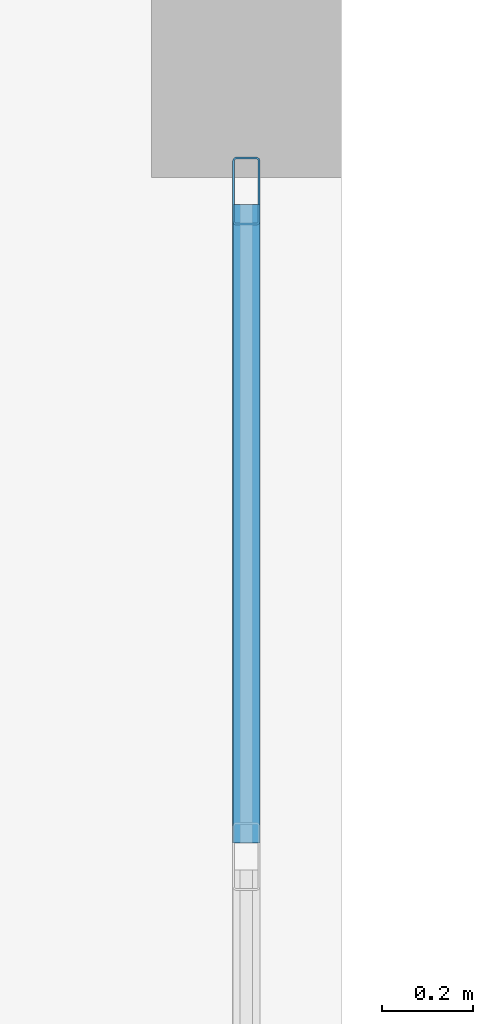
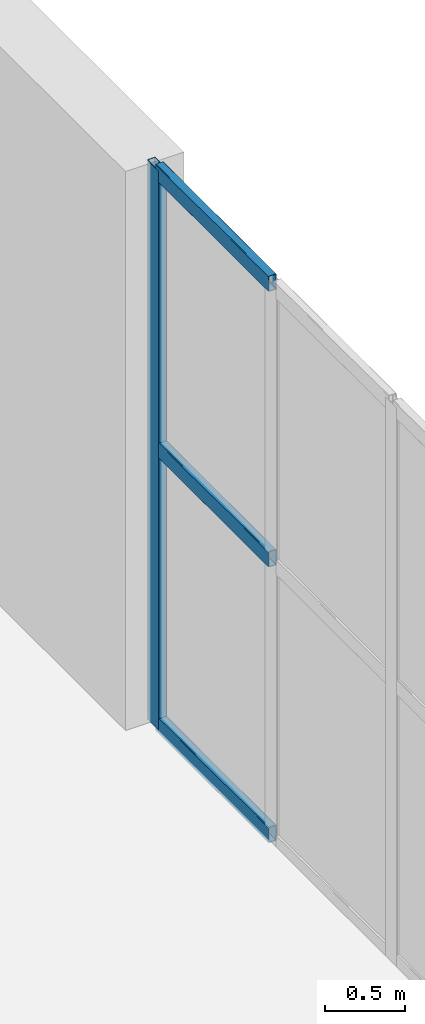
# One storey, part 6 of 15: 4 members, 1 element without a shape of its own.
"""IFC4 building model written with IfcOpenShell, lengths in metres."""

from ifc_helpers import new_model, entity, si_unit, converted_unit, direction, frame, origin_with_axes, origin_2d_with_axis, place, context, subcontext, project, spatial, hollow_rectangle, extrude, material, material_profile, profile_set, type_object, element, aggregate, save


model = new_model("IFC4")

# Units and contexts
model_context = context("Model", 3, precision=1e-05, world=origin_with_axes(), true_north=direction((0.0, 1.0)))
body_context = subcontext(model_context, "Body", "Model", "MODEL_VIEW")
ifc_project = project(units=[si_unit("LENGTHUNIT", "METRE"), si_unit("AREAUNIT", "SQUARE_METRE"), si_unit("VOLUMEUNIT", "CUBIC_METRE"), converted_unit("PLANEANGLEUNIT", "DEGREE", entity("IfcPlaneAngleMeasure", 0.017453292519943295), si_unit("PLANEANGLEUNIT", "RADIAN"), dimensions=[0, 0, 0, 0, 0, 0, 0]), si_unit("MASSUNIT", "GRAM", prefix="KILO"), si_unit("THERMODYNAMICTEMPERATUREUNIT", "KELVIN")], contexts=[model_context])

# Site, building, storey
site_placement = place(None, origin_with_axes())
site = spatial("IfcSite", under=ifc_project, at=site_placement, CompositionType="ELEMENT")
building_placement = place(site_placement, origin_with_axes())
building = spatial("IfcBuilding", under=site, at=building_placement, Name="Varnlund Millrace Tower", CompositionType="ELEMENT")
storey_placement = place(building_placement, frame((0.0, 0.0, 19.8), z_axis=(0.0, 0.0, 1.0), x_axis=(1.0, 0.0, 0.0)))
storey = spatial("IfcBuildingStorey", under=building, at=storey_placement, Name="L04", CompositionType="ELEMENT", Elevation=19.8)

# Curtain wall, members
ifc_material_1 = material(Name="Thermally broken architectural bronze curtain wall", Category="aluminium")
curtain_wall_type = type_object("IfcCurtainWallType", Name="Type-CW-Sys4-SkyLobby1", PredefinedType="NOTDEFINED", material=ifc_material_1)
curtain_wall_placement = place(storey_placement, frame((48.39, 45.3, 0.0), z_axis=(0.0, 0.0, 1.0), x_axis=(1.0, 0.0, 0.0)))
curtain_wall = element("IfcCurtainWall", 1, at=curtain_wall_placement, inside=storey, type_object=curtain_wall_type, Name="Type-CW-Sys4-SkyLobby1", PredefinedType="NOTDEFINED")
ifc_material_2 = material(Name="Architectural bronze aluminium alloy 6063-T6", Category="aluminium")
ifc_material_profile_1 = material_profile(ifc_material_2, hollow_rectangle(XDim=0.06, YDim=0.15, WallThickness=0.004, InnerFilletRadius=0.004, OuterFilletRadius=0.008, at=origin_2d_with_axis()), Name="Architectural bronze aluminium alloy 6063-T6")
ifc_profile_set_1 = profile_set([ifc_material_profile_1], Name="Architectural bronze aluminium alloy 6063-T6")
member_type_1 = type_object("IfcMemberType", Name="Type-CW-Mullion-60X150", PredefinedType="MULLION", material=ifc_profile_set_1)
member_1_placement = place(storey_placement, frame((48.39, 45.27, 0.0), z_axis=(0.0, 0.0, 1.0), x_axis=(1.0, 0.0, 0.0)))
member_1 = element("IfcMember", 2, at=member_1_placement, type_object=member_type_1, Name="CW-04 mullion 1", PredefinedType="MULLION", context=body_context, shape_type="SweptSolid", body=[
    extrude(hollow_rectangle(XDim=0.06, YDim=0.15, WallThickness=0.004, InnerFilletRadius=0.004, OuterFilletRadius=0.008, at=origin_2d_with_axis()), origin_with_axes(), (0.0, 0.0, 1.0), 4.26),
])
ifc_material_profile_2 = material_profile(ifc_material_2, hollow_rectangle(XDim=0.06, YDim=0.12, WallThickness=0.004, InnerFilletRadius=0.004, OuterFilletRadius=0.008, at=origin_2d_with_axis()), Name="Architectural bronze aluminium alloy 6063-T6")
ifc_profile_set_2 = profile_set([ifc_material_profile_2], Name="Architectural bronze aluminium alloy 6063-T6")
member_type_2 = type_object("IfcMemberType", Name="Type-CW-Transom-60X120", PredefinedType="USERDEFINED", material=ifc_profile_set_2)
member_2_placement = place(storey_placement, frame((48.39, 45.24, 0.03), z_axis=(0.0, -1.0, 0.0), x_axis=(1.0, 0.0, 0.0)))
member_2 = element("IfcMember", 3, at=member_2_placement, type_object=member_type_2, Name="CW-04 transom 1.1", ObjectType="TRANSOM", PredefinedType="USERDEFINED", context=body_context, shape_type="SweptSolid", body=[
    extrude(hollow_rectangle(XDim=0.06, YDim=0.12, WallThickness=0.004, InnerFilletRadius=0.004, OuterFilletRadius=0.008, at=origin_2d_with_axis()), origin_with_axes(), (0.0, 0.0, 1.0), 1.41),
])
member_3_placement = place(storey_placement, frame((48.39, 45.24, 2.13), z_axis=(0.0, -1.0, 0.0), x_axis=(1.0, 0.0, 0.0)))
member_3 = element("IfcMember", 4, at=member_3_placement, type_object=member_type_2, Name="CW-04 transom 1.2", ObjectType="TRANSOM", PredefinedType="USERDEFINED", context=body_context, shape_type="SweptSolid", body=[
    extrude(hollow_rectangle(XDim=0.06, YDim=0.12, WallThickness=0.004, InnerFilletRadius=0.004, OuterFilletRadius=0.008, at=origin_2d_with_axis()), origin_with_axes(), (0.0, 0.0, 1.0), 1.41),
])
member_4_placement = place(storey_placement, frame((48.39, 45.24, 4.23), z_axis=(0.0, -1.0, 0.0), x_axis=(1.0, 0.0, 0.0)))
member_4 = element("IfcMember", 5, at=member_4_placement, type_object=member_type_2, Name="CW-04 transom 1.3", ObjectType="TRANSOM", PredefinedType="USERDEFINED", context=body_context, shape_type="SweptSolid", body=[
    extrude(hollow_rectangle(XDim=0.06, YDim=0.12, WallThickness=0.004, InnerFilletRadius=0.004, OuterFilletRadius=0.008, at=origin_2d_with_axis()), origin_with_axes(), (0.0, 0.0, 1.0), 1.41),
])
aggregate(curtain_wall, [member_1, member_2, member_3, member_4])

save(model, "model.ifc")
